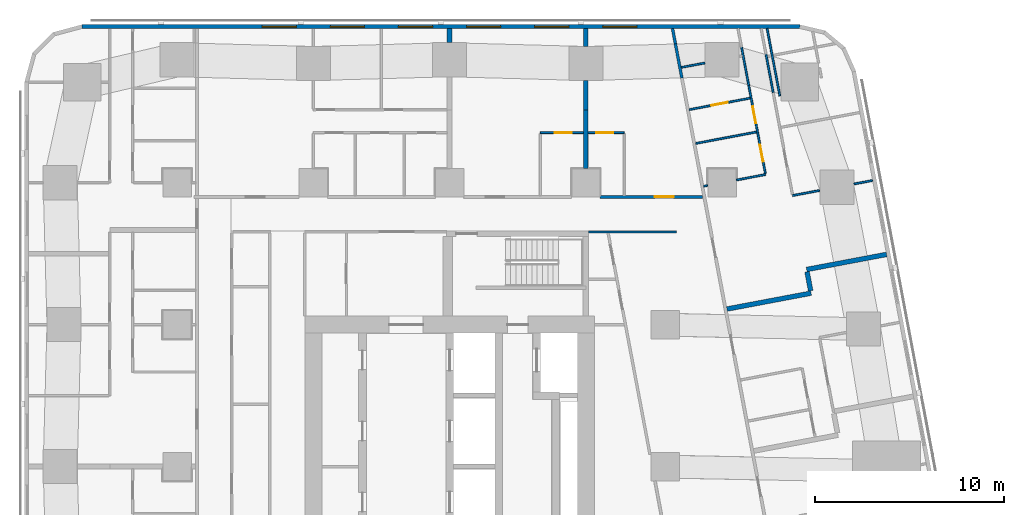
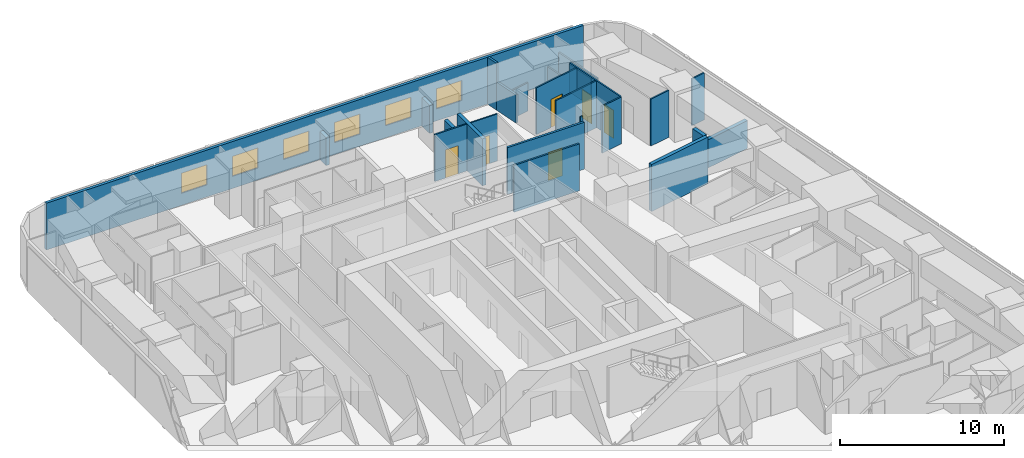
# One storey, part 10 of 15: 25 walls, 6 doors, 6 windows, 12 openings.
"""IFC4 building model written with IfcOpenShell, lengths in metres."""

from ifc_helpers import new_model, si_unit, direction, frame, frame_2d, origin, place, context, subcontext, project, spatial, rectangle, extrude, material, layer, layer_set, type_object, element, fill, save


model = new_model("IFC4")

# Units and contexts
model_context = context("Model", 3, precision=1e-05, world=origin(), true_north=direction((0.0, 1.0)))
body_context = subcontext(model_context, "Body", "Model", "MODEL_VIEW")
ifc_project = project(units=[si_unit("LENGTHUNIT", "METRE"), si_unit("AREAUNIT", "SQUARE_METRE"), si_unit("VOLUMEUNIT", "CUBIC_METRE"), si_unit("PLANEANGLEUNIT", "RADIAN"), si_unit("MASSUNIT", "GRAM", prefix="KILO")], contexts=[model_context])

# Site, building, storey
site_placement = place(None, origin())
site = spatial("IfcSite", under=ifc_project, at=site_placement, CompositionType="ELEMENT")
building_placement = place(site_placement, origin())
building = spatial("IfcBuilding", under=site, at=building_placement, Name="Sheger Commons Tower", CompositionType="ELEMENT")
storey_placement = place(building_placement, frame((0.0, 0.0, 177.050048828125)))
storey = spatial("IfcBuildingStorey", under=building, at=storey_placement, Name="L45", CompositionType="ELEMENT", Elevation=177.050048828125)

# Wall, opening, door
ifc_material_1 = material(Name="Hollow concrete block masonry, skimmed both sides", Category="masonry")
ifc_layer_1 = layer(ifc_material_1, 0.14990234375)
ifc_layer_set_1 = layer_set([ifc_layer_1], Name="CORRIDOR WALL 150")
wall_type_1 = type_object("IfcWallType", Name="CORRIDOR WALL 150", PredefinedType="SOLIDWALL", material=ifc_layer_set_1)
wall_1_placement = place(storey_placement, frame((29.551025390625, 36.75, 0.0), z_axis=(0.0, 0.0, 1.0), x_axis=(1.0, 0.0, 0.0)))
wall_1 = element("IfcWall", 1, at=wall_1_placement, inside=storey, type_object=wall_type_1, Name="Corridor wall L45", PredefinedType="SOLIDWALL", context=body_context, shape_type="SweptSolid", body=[
    extrude(rectangle(XDim=5.421875, YDim=0.14990234375, at=frame_2d((2.7109375, 0.0))), origin(), (0.0, 0.0, 1.0), 3.5),
])
opening_1_placement = place(wall_1_placement, frame((2.89501953125, 0.0, 0.0)))
opening_1 = element("IfcOpeningElement", 2, at=opening_1_placement, cuts=wall_1, Name="Opening D1", PredefinedType="OPENING", context=body_context, shape_type="SweptSolid", body=[
    extrude(rectangle(XDim=1.0, YDim=2.10009765625, at=frame_2d((0.5, 1.050048828125))), frame((0.0, 0.0849609375, 0.0), z_axis=(0.0, -1.0, 0.0), x_axis=(1.0, 0.0, 0.0)), (0.0, 0.0, 1.0), 0.169921875),
])
ifc_material_2 = material(Name="Steel door set, fire rated", Category="steel")
door_type_1 = type_object("IfcDoorType", Name="FLAT ENTRANCE DOOR 1000x2100", OperationType="NOTDEFINED", PredefinedType="DOOR", material=ifc_material_2)
door_1_placement = place(opening_1_placement, origin())
door_1 = element("IfcDoor", 3, at=door_1_placement, inside=storey, type_object=door_type_1, Name="Flat entrance door", OperationType="SINGLE_SWING_RIGHT", OverallHeight=2.10009765625, OverallWidth=1.0, PredefinedType="DOOR", context=body_context, shape_type="SweptSolid", body=[
    extrude(rectangle(XDim=1.0, YDim=2.10009765625, at=frame_2d((0.5, 1.050048828125))), frame((0.0, 0.02490234375, 0.0), z_axis=(0.0, -1.0, 0.0), x_axis=(1.0, 0.0, 0.0)), (0.0, 0.0, 1.0), 0.050048828125),
])
fill(opening_1, door_1)

# Walls
wall_2_placement = place(storey_placement, frame((33.382080078125, 45.64990234375, 0.0), z_axis=(0.0, 0.0, 1.0), x_axis=(0.185169202764, -0.982706653253, 0.0)))
element("IfcWall", 4, at=wall_2_placement, inside=storey, type_object=wall_type_1, Name="Corridor wall L45", PredefinedType="SOLIDWALL", context=body_context, shape_type="SweptSolid", body=[
    extrude(rectangle(XDim=0.820068359375, YDim=0.14990234375, at=frame_2d((0.41015625, 0.0))), origin(), (0.0, 0.0, 1.0), 3.5),
])
wall_3_placement = place(storey_placement, frame((33.533935546875, 44.843994140625, 0.0), z_axis=(0.0, 0.0, 1.0), x_axis=(0.185708872674, -0.982604811005, 0.0)))
element("IfcWall", 5, at=wall_3_placement, inside=storey, type_object=wall_type_1, Name="Corridor wall L45", PredefinedType="SOLIDWALL", context=body_context, shape_type="SweptSolid", body=[
    extrude(rectangle(XDim=1.84716796875, YDim=0.14990234375, at=frame_2d((0.923583984375, 0.0))), origin(), (0.0, 0.0, 1.0), 2.099853515625),
])
ifc_material_3 = material(Name="Dense concrete block masonry, plastered both sides (separating wall between flats)", Category="masonry")
ifc_layer_2 = layer(ifc_material_3, 0.25)
ifc_layer_set_2 = layer_set([ifc_layer_2], Name="DEMISING WALL 250")
wall_type_2 = type_object("IfcWallType", Name="DEMISING WALL 250", PredefinedType="SOLIDWALL", material=ifc_layer_set_2)
wall_4_placement = place(storey_placement, frame((44.693115234375, 33.712890625, 0.0), z_axis=(0.0, 0.0, 1.0), x_axis=(-0.982633535512, -0.185556823879, 0.0)))
element("IfcWall", 6, at=wall_4_placement, inside=storey, type_object=wall_type_2, Name="Demising wall L45", PredefinedType="SOLIDWALL", context=body_context, shape_type="SweptSolid", body=[
    extrude(rectangle(XDim=4.2998046875, YDim=0.25, at=frame_2d((2.14990234375, 0.0))), origin(), (0.0, 0.0, 1.0), 2.099853515625),
])
wall_5_placement = place(storey_placement, frame((40.7041015625, 31.666015625, 0.0), z_axis=(0.0, 0.0, 1.0), x_axis=(-0.982612837616, -0.185666398014, 0.0)))
element("IfcWall", 7, at=wall_5_placement, inside=storey, type_object=wall_type_2, Name="Demising wall L45", PredefinedType="SOLIDWALL", context=body_context, shape_type="SweptSolid", body=[
    extrude(rectangle(XDim=4.524658203125, YDim=0.25, at=frame_2d((2.26220703125, 0.0))), origin(), (0.0, 0.0, 1.0), 3.5),
])
wall_6_placement = place(storey_placement, frame((40.490966796875, 32.7919921875, 0.0), z_axis=(0.0, 0.0, 1.0), x_axis=(0.18607888991, -0.982534806879, 0.0)))
element("IfcWall", 8, at=wall_6_placement, inside=storey, type_object=wall_type_2, Name="Demising wall L45", PredefinedType="SOLIDWALL", context=body_context, shape_type="SweptSolid", body=[
    extrude(rectangle(XDim=1.020751953125, YDim=0.25, at=frame_2d((0.51025390625, 0.0))), origin(), (0.0, 0.0, 1.0), 3.5),
])
wall_7_placement = place(storey_placement, frame((21.60009765625, 44.90087890625, 0.0), z_axis=(0.0, 0.0, 1.0), x_axis=(0.0, 1.0, 0.0)))
element("IfcWall", 9, at=wall_7_placement, inside=storey, type_object=wall_type_2, Name="Demising wall L45", PredefinedType="SOLIDWALL", context=body_context, shape_type="SweptSolid", body=[
    extrude(rectangle(XDim=0.7490234375, YDim=0.25, at=frame_2d((0.37451171875, 0.0))), origin(), (0.0, 0.0, 1.0), 2.099853515625),
])
wall_8_placement = place(storey_placement, frame((28.800048828125, 41.35009765625, 0.0), z_axis=(0.0, 0.0, 1.0), x_axis=(0.0, 1.0, 0.0)))
element("IfcWall", 10, at=wall_8_placement, inside=storey, type_object=wall_type_2, Name="Demising wall L45", PredefinedType="SOLIDWALL", context=body_context, shape_type="SweptSolid", body=[
    extrude(rectangle(XDim=1.548828125, YDim=0.25, at=frame_2d((0.7744140625, 0.0))), origin(), (0.0, 0.0, 1.0), 2.099853515625),
])
wall_9_placement = place(storey_placement, frame((28.800048828125, 44.700927734375, 0.0), z_axis=(0.0, 0.0, 1.0), x_axis=(0.0, 1.0, 0.0)))
element("IfcWall", 11, at=wall_9_placement, inside=storey, type_object=wall_type_2, Name="Demising wall L45", PredefinedType="SOLIDWALL", context=body_context, shape_type="SweptSolid", body=[
    extrude(rectangle(XDim=0.948974609375, YDim=0.25, at=frame_2d((0.474609375, 0.0))), origin(), (0.0, 0.0, 1.0), 2.099853515625),
])
wall_10_placement = place(storey_placement, frame((28.800048828125, 38.2509765625, 0.0), z_axis=(0.0, 0.0, 1.0), x_axis=(0.0, 1.0, 0.0)))
element("IfcWall", 12, at=wall_10_placement, inside=storey, type_object=wall_type_2, Name="Demising wall L45", PredefinedType="SOLIDWALL", context=body_context, shape_type="SweptSolid", body=[
    extrude(rectangle(XDim=3.09912109375, YDim=0.25, at=frame_2d((1.549560546875, 0.0))), origin(), (0.0, 0.0, 1.0), 3.5),
])

# Wall, openings, windows
ifc_material_4 = material(Name="Rendered concrete block masonry, dark grey", Category="masonry")
ifc_layer_3 = layer(ifc_material_4, 0.199951171875)
ifc_layer_set_3 = layer_set([ifc_layer_3], Name="FACADE WALL 200")
wall_type_3 = type_object("IfcWallType", Name="FACADE WALL 200", PredefinedType="SOLIDWALL", material=ifc_layer_set_3)
wall_11_placement = place(storey_placement, frame((40.10595703125, 45.75, 0.0), z_axis=(0.0, 0.0, 1.0), x_axis=(-1.0, 0.0, 0.0)))
wall_11 = element("IfcWall", 13, at=wall_11_placement, inside=storey, type_object=wall_type_3, Name="Facade wall L45", PredefinedType="SOLIDWALL", context=body_context, shape_type="SweptSolid", body=[
    extrude(rectangle(XDim=37.94287109375, YDim=0.199951171875, at=frame_2d((18.971435546875, 0.0))), origin(), (0.0, 0.0, 1.0), 3.5),
])
opening_2_placement = place(wall_11_placement, frame((8.60595703125, 0.0, 0.89990234375)))
opening_2 = element("IfcOpeningElement", 14, at=opening_2_placement, cuts=wall_11, Name="Opening W2", PredefinedType="OPENING", context=body_context, shape_type="SweptSolid", body=[
    extrude(rectangle(XDim=1.800048828125, YDim=1.5, at=frame_2d((0.89990234375, 0.75))), frame((0.0, 0.10986328125, 0.0), z_axis=(0.0, -1.0, 0.0), x_axis=(1.0, 0.0, 0.0)), (0.0, 0.0, 1.0), 0.219970703125),
])
opening_3_placement = place(wall_11_placement, frame((12.2060546875, 0.0, 0.89990234375)))
opening_3 = element("IfcOpeningElement", 15, at=opening_3_placement, cuts=wall_11, Name="Opening W2", PredefinedType="OPENING", context=body_context, shape_type="SweptSolid", body=[
    extrude(rectangle(XDim=1.800048828125, YDim=1.5, at=frame_2d((0.89990234375, 0.75))), frame((0.0, 0.10986328125, 0.0), z_axis=(0.0, -1.0, 0.0), x_axis=(1.0, 0.0, 0.0)), (0.0, 0.0, 1.0), 0.219970703125),
])
opening_4_placement = place(wall_11_placement, frame((15.805908203125, 0.0, 0.89990234375)))
opening_4 = element("IfcOpeningElement", 16, at=opening_4_placement, cuts=wall_11, Name="Opening W2", PredefinedType="OPENING", context=body_context, shape_type="SweptSolid", body=[
    extrude(rectangle(XDim=1.800048828125, YDim=1.5, at=frame_2d((0.89990234375, 0.75))), frame((0.0, 0.10986328125, 0.0), z_axis=(0.0, -1.0, 0.0), x_axis=(1.0, 0.0, 0.0)), (0.0, 0.0, 1.0), 0.219970703125),
])
opening_5_placement = place(wall_11_placement, frame((19.406005859375, 0.0, 0.89990234375)))
opening_5 = element("IfcOpeningElement", 17, at=opening_5_placement, cuts=wall_11, Name="Opening W2", PredefinedType="OPENING", context=body_context, shape_type="SweptSolid", body=[
    extrude(rectangle(XDim=1.800048828125, YDim=1.5, at=frame_2d((0.89990234375, 0.75))), frame((0.0, 0.10986328125, 0.0), z_axis=(0.0, -1.0, 0.0), x_axis=(1.0, 0.0, 0.0)), (0.0, 0.0, 1.0), 0.219970703125),
])
opening_6_placement = place(wall_11_placement, frame((23.006103515625, 0.0, 0.89990234375)))
opening_6 = element("IfcOpeningElement", 18, at=opening_6_placement, cuts=wall_11, Name="Opening W2", PredefinedType="OPENING", context=body_context, shape_type="SweptSolid", body=[
    extrude(rectangle(XDim=1.800048828125, YDim=1.5, at=frame_2d((0.89990234375, 0.75))), frame((0.0, 0.10986328125, 0.0), z_axis=(0.0, -1.0, 0.0), x_axis=(1.0, 0.0, 0.0)), (0.0, 0.0, 1.0), 0.219970703125),
])
opening_7_placement = place(wall_11_placement, frame((26.60595703125, 0.0, 0.89990234375)))
opening_7 = element("IfcOpeningElement", 19, at=opening_7_placement, cuts=wall_11, Name="Opening W2", PredefinedType="OPENING", context=body_context, shape_type="SweptSolid", body=[
    extrude(rectangle(XDim=1.800048828125, YDim=1.5, at=frame_2d((0.89990234375, 0.75))), frame((0.0, 0.10986328125, 0.0), z_axis=(0.0, -1.0, 0.0), x_axis=(1.0, 0.0, 0.0)), (0.0, 0.0, 1.0), 0.219970703125),
])
ifc_material_5 = material(Name="Black aluminium frame, dark tinted double glazing", Category="aluminium")
window_type = type_object("IfcWindowType", Name="WINDOW W2 1800x1500", PartitioningType="SINGLE_PANEL", PredefinedType="WINDOW", material=ifc_material_5)
window_1_placement = place(opening_2_placement, origin())
window_1 = element("IfcWindow", 20, at=window_1_placement, inside=storey, type_object=window_type, Name="Window W2 1800X1500", OverallHeight=1.5, OverallWidth=1.800048828125, PartitioningType="SINGLE_PANEL", PredefinedType="WINDOW", context=body_context, shape_type="SweptSolid", body=[
    extrude(rectangle(XDim=1.800048828125, YDim=1.5, at=frame_2d((0.89990234375, 0.75))), frame((0.0, 0.030029296875, 0.0), z_axis=(0.0, -1.0, 0.0), x_axis=(1.0, 0.0, 0.0)), (0.0, 0.0, 1.0), 0.06005859375),
])
fill(opening_2, window_1)
window_2_placement = place(opening_3_placement, origin())
window_2 = element("IfcWindow", 21, at=window_2_placement, inside=storey, type_object=window_type, Name="Window W2 1800X1500", OverallHeight=1.5, OverallWidth=1.800048828125, PartitioningType="SINGLE_PANEL", PredefinedType="WINDOW", context=body_context, shape_type="SweptSolid", body=[
    extrude(rectangle(XDim=1.800048828125, YDim=1.5, at=frame_2d((0.89990234375, 0.75))), frame((0.0, 0.030029296875, 0.0), z_axis=(0.0, -1.0, 0.0), x_axis=(1.0, 0.0, 0.0)), (0.0, 0.0, 1.0), 0.06005859375),
])
fill(opening_3, window_2)
window_3_placement = place(opening_4_placement, origin())
window_3 = element("IfcWindow", 22, at=window_3_placement, inside=storey, type_object=window_type, Name="Window W2 1800X1500", OverallHeight=1.5, OverallWidth=1.800048828125, PartitioningType="SINGLE_PANEL", PredefinedType="WINDOW", context=body_context, shape_type="SweptSolid", body=[
    extrude(rectangle(XDim=1.800048828125, YDim=1.5, at=frame_2d((0.89990234375, 0.75))), frame((0.0, 0.030029296875, 0.0), z_axis=(0.0, -1.0, 0.0), x_axis=(1.0, 0.0, 0.0)), (0.0, 0.0, 1.0), 0.06005859375),
])
fill(opening_4, window_3)
window_4_placement = place(opening_5_placement, origin())
window_4 = element("IfcWindow", 23, at=window_4_placement, inside=storey, type_object=window_type, Name="Window W2 1800X1500", OverallHeight=1.5, OverallWidth=1.800048828125, PartitioningType="SINGLE_PANEL", PredefinedType="WINDOW", context=body_context, shape_type="SweptSolid", body=[
    extrude(rectangle(XDim=1.800048828125, YDim=1.5, at=frame_2d((0.89990234375, 0.75))), frame((0.0, 0.030029296875, 0.0), z_axis=(0.0, -1.0, 0.0), x_axis=(1.0, 0.0, 0.0)), (0.0, 0.0, 1.0), 0.06005859375),
])
fill(opening_5, window_4)
window_5_placement = place(opening_6_placement, origin())
window_5 = element("IfcWindow", 24, at=window_5_placement, inside=storey, type_object=window_type, Name="Window W2 1800X1500", OverallHeight=1.5, OverallWidth=1.800048828125, PartitioningType="SINGLE_PANEL", PredefinedType="WINDOW", context=body_context, shape_type="SweptSolid", body=[
    extrude(rectangle(XDim=1.800048828125, YDim=1.5, at=frame_2d((0.89990234375, 0.75))), frame((0.0, 0.030029296875, 0.0), z_axis=(0.0, -1.0, 0.0), x_axis=(1.0, 0.0, 0.0)), (0.0, 0.0, 1.0), 0.06005859375),
])
fill(opening_6, window_5)
window_6_placement = place(opening_7_placement, origin())
window_6 = element("IfcWindow", 25, at=window_6_placement, inside=storey, type_object=window_type, Name="Window W2 1800X1500", OverallHeight=1.5, OverallWidth=1.800048828125, PartitioningType="SINGLE_PANEL", PredefinedType="WINDOW", context=body_context, shape_type="SweptSolid", body=[
    extrude(rectangle(XDim=1.800048828125, YDim=1.5, at=frame_2d((0.89990234375, 0.75))), frame((0.0, 0.030029296875, 0.0), z_axis=(0.0, -1.0, 0.0), x_axis=(1.0, 0.0, 0.0)), (0.0, 0.0, 1.0), 0.06005859375),
])
fill(opening_7, window_6)

# Walls
ifc_material_6 = material(Name="Gypsum board on steel studs", Category="steel")
ifc_layer_4 = layer(ifc_material_6, 0.10009765625)
ifc_layer_set_4 = layer_set([ifc_layer_4], Name="PARTITION 100")
wall_type_4 = type_object("IfcWallType", Name="PARTITION 100", PredefinedType="PARTITIONING", material=ifc_layer_set_4)
wall_12_placement = place(storey_placement, frame((39.053955078125, 42.0849609375, 0.0), z_axis=(0.0, 0.0, 1.0), x_axis=(-0.185791584218, 0.982589175207, 0.0)))
element("IfcWall", 26, at=wall_12_placement, inside=storey, type_object=wall_type_4, Name="Partition L45", PredefinedType="PARTITIONING", context=body_context, shape_type="SweptSolid", body=[
    extrude(rectangle(XDim=3.628173828125, YDim=0.10009765625, at=frame_2d((1.81396484375, 0.0))), origin(), (0.0, 0.0, 1.0), 2.099853515625),
])
wall_13_placement = place(storey_placement, frame((38.318115234375, 44.298095703125, 0.0), z_axis=(0.0, 0.0, 1.0), x_axis=(0.185481135188, -0.982647825261, 0.0)))
element("IfcWall", 27, at=wall_13_placement, inside=storey, type_object=wall_type_4, Name="Partition L45", PredefinedType="PARTITIONING", context=body_context, shape_type="SweptSolid", body=[
    extrude(rectangle(XDim=2.06396484375, YDim=0.10009765625, at=frame_2d((1.031982421875, 0.0))), origin(), (0.0, 0.0, 1.0), 2.099853515625),
])
wall_14_placement = place(storey_placement, frame((37.027099609375, 44.666015625, 0.0), z_axis=(0.0, 0.0, 1.0), x_axis=(0.1855674151, -0.982631535446, 0.0)))
element("IfcWall", 28, at=wall_14_placement, inside=storey, type_object=wall_type_4, Name="Partition L45", PredefinedType="PARTITIONING", context=body_context, shape_type="SweptSolid", body=[
    extrude(rectangle(XDim=2.06298828125, YDim=0.10009765625, at=frame_2d((1.031494140625, 0.0))), origin(), (0.0, 0.0, 1.0), 2.099853515625),
])

# Wall, openings, doors
wall_15_placement = place(storey_placement, frame((37.409912109375, 42.638916015625, 0.0), z_axis=(0.0, 0.0, 1.0), x_axis=(0.185579683022, -0.982629218601, 0.0)))
wall_15 = element("IfcWall", 29, at=wall_15_placement, inside=storey, type_object=wall_type_4, Name="Partition L45", PredefinedType="PARTITIONING", context=body_context, shape_type="SweptSolid", body=[
    extrude(rectangle(XDim=4.7373046875, YDim=0.10009765625, at=frame_2d((2.36865234375, 0.0))), origin(), (0.0, 0.0, 1.0), 3.5),
])
opening_8_placement = place(wall_15_placement, frame((3.18896484375, 0.0, 0.0)))
opening_8 = element("IfcOpeningElement", 30, at=opening_8_placement, cuts=wall_15, Name="Opening D2", PredefinedType="OPENING", context=body_context, shape_type="SweptSolid", body=[
    extrude(rectangle(XDim=0.89990234375, YDim=2.10009765625, at=frame_2d((0.449951171875, 1.050048828125))), frame((0.0, 0.06005859375, 0.0), z_axis=(0.0, -1.0, 0.0), x_axis=(1.0, 0.0, 0.0)), (0.0, 0.0, 1.0), 0.1201171875),
])
opening_9_placement = place(wall_15_placement, frame((1.131103515625, 0.0, 0.0)))
opening_9 = element("IfcOpeningElement", 31, at=opening_9_placement, cuts=wall_15, Name="Opening D2", PredefinedType="OPENING", context=body_context, shape_type="SweptSolid", body=[
    extrude(rectangle(XDim=0.89990234375, YDim=2.10009765625, at=frame_2d((0.449951171875, 1.050048828125))), frame((0.0, 0.06005859375, 0.0), z_axis=(0.0, -1.0, 0.0), x_axis=(1.0, 0.0, 0.0)), (0.0, 0.0, 1.0), 0.1201171875),
])
ifc_material_7 = material(Name="Timber door set", Category="wood")
door_type_2 = type_object("IfcDoorType", Name="INTERNAL DOOR 900x2100", OperationType="NOTDEFINED", PredefinedType="DOOR", material=ifc_material_7)
door_2_placement = place(opening_8_placement, origin())
door_2 = element("IfcDoor", 32, at=door_2_placement, inside=storey, type_object=door_type_2, Name="Bathroom door", OperationType="SINGLE_SWING_LEFT", OverallHeight=2.10009765625, OverallWidth=0.89990234375, PredefinedType="DOOR", context=body_context, shape_type="SweptSolid", body=[
    extrude(rectangle(XDim=0.89990234375, YDim=2.10009765625, at=frame_2d((0.449951171875, 1.050048828125))), frame((0.0, 0.02490234375, 0.0), z_axis=(0.0, -1.0, 0.0), x_axis=(1.0, 0.0, 0.0)), (0.0, 0.0, 1.0), 0.050048828125),
])
fill(opening_8, door_2)
door_3_placement = place(opening_9_placement, origin())
door_3 = element("IfcDoor", 33, at=door_3_placement, inside=storey, type_object=door_type_2, Name="Laundry room door", OperationType="SINGLE_SWING_RIGHT", OverallHeight=2.10009765625, OverallWidth=0.89990234375, PredefinedType="DOOR", context=body_context, shape_type="SweptSolid", body=[
    extrude(rectangle(XDim=0.89990234375, YDim=2.10009765625, at=frame_2d((0.449951171875, 1.050048828125))), frame((0.0, 0.02490234375, 0.0), z_axis=(0.0, -1.0, 0.0), x_axis=(1.0, 0.0, 0.0)), (0.0, 0.0, 1.0), 0.050048828125),
])
fill(opening_9, door_3)

# Walls
wall_16_placement = place(storey_placement, frame((43.955078125, 37.6201171875, 0.0), z_axis=(0.0, 0.0, 1.0), x_axis=(-0.982666697719, -0.185381124159, 0.0)))
element("IfcWall", 34, at=wall_16_placement, inside=storey, type_object=wall_type_4, Name="Partition L45", PredefinedType="PARTITIONING", context=body_context, shape_type="SweptSolid", body=[
    extrude(rectangle(XDim=0.998291015625, YDim=0.10009765625, at=frame_2d((0.4990234375, 0.0))), origin(), (0.0, 0.0, 1.0), 3.5),
])
wall_17_placement = place(storey_placement, frame((41.154052734375, 37.091064453125, 0.0), z_axis=(0.0, 0.0, 1.0), x_axis=(-0.982617614942, -0.185641112921, 0.0)))
element("IfcWall", 35, at=wall_17_placement, inside=storey, type_object=wall_type_4, Name="Partition L45", PredefinedType="PARTITIONING", context=body_context, shape_type="SweptSolid", body=[
    extrude(rectangle(XDim=1.44921875, YDim=0.10009765625, at=frame_2d((0.724609375, 0.0))), origin(), (0.0, 0.0, 1.0), 3.5),
])
wall_18_placement = place(storey_placement, frame((35.090087890625, 43.827880859375, 0.0), z_axis=(0.0, 0.0, 1.0), x_axis=(-0.982758384778, -0.184894448668, 0.0)))
element("IfcWall", 36, at=wall_18_placement, inside=storey, type_object=wall_type_4, Name="Partition L45", PredefinedType="PARTITIONING", context=body_context, shape_type="SweptSolid", body=[
    extrude(rectangle(XDim=1.264892578125, YDim=0.10009765625, at=frame_2d((0.63232421875, 0.0))), origin(), (0.0, 0.0, 1.0), 2.099853515625),
])
wall_19_placement = place(storey_placement, frame((37.822998046875, 40.181884765625, 0.0), z_axis=(0.0, 0.0, 1.0), x_axis=(-0.982664729897, -0.18539155487, 0.0)))
element("IfcWall", 37, at=wall_19_placement, inside=storey, type_object=wall_type_4, Name="Partition L45", PredefinedType="PARTITIONING", context=body_context, shape_type="SweptSolid", body=[
    extrude(rectangle(XDim=3.273681640625, YDim=0.10009765625, at=frame_2d((1.63671875, 0.0))), origin(), (0.0, 0.0, 1.0), 3.5),
])
wall_20_placement = place(storey_placement, frame((38.299072265625, 37.93505859375, 0.0), z_axis=(0.0, 0.0, 1.0), x_axis=(-0.98258870752, -0.18579405764, 0.0)))
element("IfcWall", 38, at=wall_20_placement, inside=storey, type_object=wall_type_4, Name="Partition L45", PredefinedType="PARTITIONING", context=body_context, shape_type="SweptSolid", body=[
    extrude(rectangle(XDim=1.56640625, YDim=0.10009765625, at=frame_2d((0.783203125, 0.0))), origin(), (0.0, 0.0, 1.0), 3.5),
])
wall_21_placement = place(storey_placement, frame((35.239990234375, 37.35595703125, 0.0), z_axis=(0.0, 0.0, 1.0), x_axis=(-0.982819911474, -0.184567119526, 0.0)))
element("IfcWall", 39, at=wall_21_placement, inside=storey, type_object=wall_type_4, Name="Partition L45", PredefinedType="PARTITIONING", context=body_context, shape_type="SweptSolid", body=[
    extrude(rectangle(XDim=0.211669921875, YDim=0.10009765625, at=frame_2d((0.10595703125, 0.0))), origin(), (0.0, 0.0, 1.0), 3.5),
])

# Wall, opening, door
wall_22_placement = place(storey_placement, frame((37.485107421875, 41.970947265625, 0.0), z_axis=(0.0, 0.0, 1.0), x_axis=(-0.982610347627, -0.185679575441, 0.0)))
wall_22 = element("IfcWall", 40, at=wall_22_placement, inside=storey, type_object=wall_type_4, Name="Partition L45", PredefinedType="PARTITIONING", context=body_context, shape_type="SweptSolid", body=[
    extrude(rectangle(XDim=3.27392578125, YDim=0.10009765625, at=frame_2d((1.636962890625, 0.0))), origin(), (0.0, 0.0, 1.0), 3.5),
])
opening_10_placement = place(wall_22_placement, frame((1.199951171875, 0.0, 0.0)))
opening_10 = element("IfcOpeningElement", 41, at=opening_10_placement, cuts=wall_22, Name="Opening D2", PredefinedType="OPENING", context=body_context, shape_type="SweptSolid", body=[
    extrude(rectangle(XDim=0.89990234375, YDim=2.10009765625, at=frame_2d((0.449951171875, 1.050048828125))), frame((0.0, 0.06005859375, 0.0), z_axis=(0.0, -1.0, 0.0), x_axis=(1.0, 0.0, 0.0)), (0.0, 0.0, 1.0), 0.1201171875),
])
door_4_placement = place(opening_10_placement, origin())
door_4 = element("IfcDoor", 42, at=door_4_placement, inside=storey, type_object=door_type_2, Name="Store door", OperationType="SINGLE_SWING_LEFT", OverallHeight=2.10009765625, OverallWidth=0.89990234375, PredefinedType="DOOR", context=body_context, shape_type="SweptSolid", body=[
    extrude(rectangle(XDim=0.89990234375, YDim=2.10009765625, at=frame_2d((0.449951171875, 1.050048828125))), frame((0.0, 0.02490234375, 0.0), z_axis=(0.0, -1.0, 0.0), x_axis=(1.0, 0.0, 0.0)), (0.0, 0.0, 1.0), 0.050048828125),
])
fill(opening_10, door_4)

wall_23_placement = place(storey_placement, frame((26.39892578125, 40.14990234375, 0.0), z_axis=(0.0, 0.0, 1.0), x_axis=(1.0, 0.0, 0.0)))
wall_23 = element("IfcWall", 43, at=wall_23_placement, inside=storey, type_object=wall_type_4, Name="Partition L45", PredefinedType="PARTITIONING", context=body_context, shape_type="SweptSolid", body=[
    extrude(rectangle(XDim=2.276123046875, YDim=0.10009765625, at=frame_2d((1.13818359375, 0.0))), origin(), (0.0, 0.0, 1.0), 3.5),
])
opening_11_placement = place(wall_23_placement, frame((0.75, 0.0, 0.0)))
opening_11 = element("IfcOpeningElement", 44, at=opening_11_placement, cuts=wall_23, Name="Opening D2", PredefinedType="OPENING", context=body_context, shape_type="SweptSolid", body=[
    extrude(rectangle(XDim=0.89990234375, YDim=2.10009765625, at=frame_2d((0.449951171875, 1.050048828125))), frame((0.0, 0.06005859375, 0.0), z_axis=(0.0, -1.0, 0.0), x_axis=(1.0, 0.0, 0.0)), (0.0, 0.0, 1.0), 0.1201171875),
])
door_5_placement = place(opening_11_placement, origin())
door_5 = element("IfcDoor", 45, at=door_5_placement, inside=storey, type_object=door_type_2, Name="Bathroom door", OperationType="SINGLE_SWING_LEFT", OverallHeight=2.10009765625, OverallWidth=0.89990234375, PredefinedType="DOOR", context=body_context, shape_type="SweptSolid", body=[
    extrude(rectangle(XDim=0.89990234375, YDim=2.10009765625, at=frame_2d((0.449951171875, 1.050048828125))), frame((0.0, 0.02490234375, 0.0), z_axis=(0.0, -1.0, 0.0), x_axis=(1.0, 0.0, 0.0)), (0.0, 0.0, 1.0), 0.050048828125),
])
fill(opening_11, door_5)

wall_24_placement = place(storey_placement, frame((28.925048828125, 40.14990234375, 0.0), z_axis=(0.0, 0.0, 1.0), x_axis=(1.0, 0.0, 0.0)))
wall_24 = element("IfcWall", 46, at=wall_24_placement, inside=storey, type_object=wall_type_4, Name="Partition L45", PredefinedType="PARTITIONING", context=body_context, shape_type="SweptSolid", body=[
    extrude(rectangle(XDim=1.904052734375, YDim=0.10009765625, at=frame_2d((0.9521484375, 0.0))), origin(), (0.0, 0.0, 1.0), 3.5),
])
opening_12_placement = place(wall_24_placement, frame((0.425048828125, 0.0, 0.0)))
opening_12 = element("IfcOpeningElement", 47, at=opening_12_placement, cuts=wall_24, Name="Opening D2", PredefinedType="OPENING", context=body_context, shape_type="SweptSolid", body=[
    extrude(rectangle(XDim=0.89990234375, YDim=2.10009765625, at=frame_2d((0.449951171875, 1.050048828125))), frame((0.0, 0.06005859375, 0.0), z_axis=(0.0, -1.0, 0.0), x_axis=(1.0, 0.0, 0.0)), (0.0, 0.0, 1.0), 0.1201171875),
])
door_6_placement = place(opening_12_placement, origin())
door_6 = element("IfcDoor", 48, at=door_6_placement, inside=storey, type_object=door_type_2, Name="Shower room door", OperationType="SINGLE_SWING_RIGHT", OverallHeight=2.10009765625, OverallWidth=0.89990234375, PredefinedType="DOOR", context=body_context, shape_type="SweptSolid", body=[
    extrude(rectangle(XDim=0.89990234375, YDim=2.10009765625, at=frame_2d((0.449951171875, 1.050048828125))), frame((0.0, 0.02490234375, 0.0), z_axis=(0.0, -1.0, 0.0), x_axis=(1.0, 0.0, 0.0)), (0.0, 0.0, 1.0), 0.050048828125),
])
fill(opening_12, door_6)

# Wall
ifc_material_8 = material(Name="Gypsum board on steel studs, two layers each side, fire rated", Category="steel")
ifc_layer_5 = layer(ifc_material_8, 0.125)
ifc_layer_set_5 = layer_set([ifc_layer_5], Name="SERVICE WALL 125")
wall_type_5 = type_object("IfcWallType", Name="SERVICE WALL 125", PredefinedType="PARTITIONING", material=ifc_layer_set_5)
wall_25_placement = place(storey_placement, frame((28.949951171875, 34.89990234375, 0.0), z_axis=(0.0, 0.0, 1.0), x_axis=(1.0, 0.0, 0.0)))
element("IfcWall", 49, at=wall_25_placement, inside=storey, type_object=wall_type_5, Name="Service room wall L45", PredefinedType="PARTITIONING", context=body_context, shape_type="SweptSolid", body=[
    extrude(rectangle(XDim=4.630126953125, YDim=0.125, at=frame_2d((2.31494140625, 0.0))), origin(), (0.0, 0.0, 1.0), 3.5),
])

save(model, "model.ifc")
